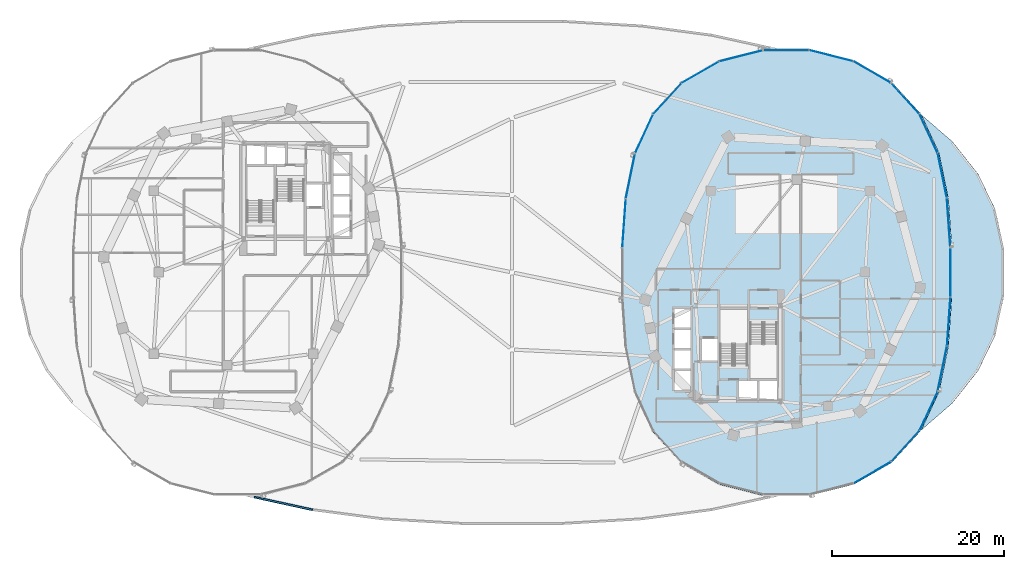
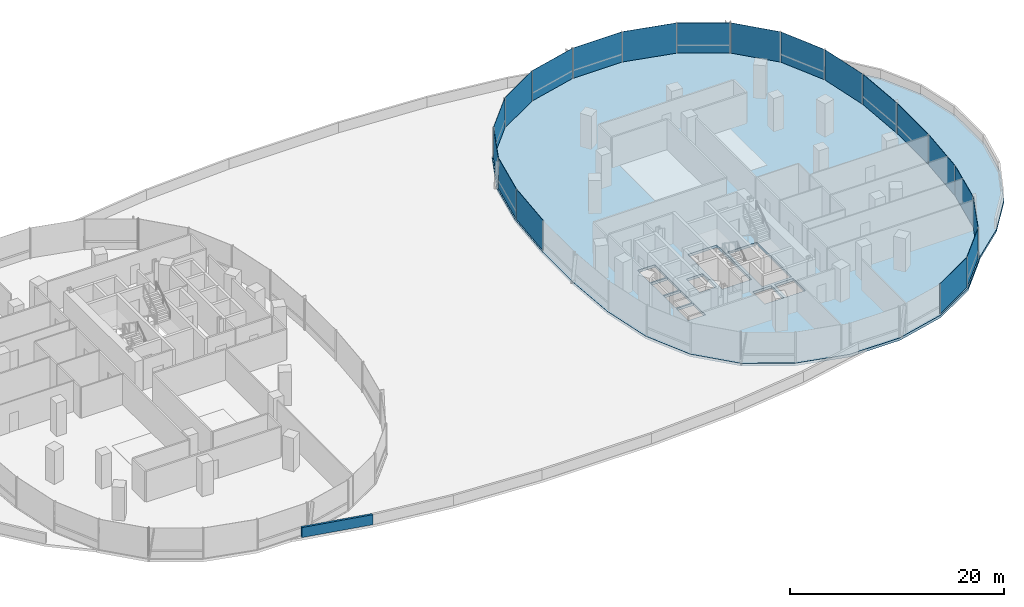
# One storey, part 17 of 28: 19 plates, 2 slabs, 1 wall, 3 elements without a shape of their own.
"""IFC4 building model written with IfcOpenShell, lengths in metres."""

from ifc_helpers import new_model, si_unit, direction, frame, frame_2d, origin, origin_2d, place, context, subcontext, project, spatial, polyline, rectangle, outline, extrude, material, layer, layer_set, type_object, element, aggregate, save


model = new_model("IFC4")

# Units and contexts
model_context = context("Model", 3, precision=1e-05, world=origin(), true_north=direction((0.0, 1.0)))
body_context = subcontext(model_context, "Body", "Model", "MODEL_VIEW")
ifc_project = project(units=[si_unit("LENGTHUNIT", "METRE"), si_unit("AREAUNIT", "SQUARE_METRE"), si_unit("VOLUMEUNIT", "CUBIC_METRE"), si_unit("PLANEANGLEUNIT", "RADIAN"), si_unit("MASSUNIT", "GRAM", prefix="KILO"), si_unit("THERMODYNAMICTEMPERATUREUNIT", "KELVIN"), si_unit("POWERUNIT", "WATT")], contexts=[model_context])

# Site, building, storey
site_placement = place(None, origin())
site = spatial("IfcSite", under=ifc_project, at=site_placement, CompositionType="ELEMENT")
building_placement = place(site_placement, origin())
building = spatial("IfcBuilding", under=site, at=building_placement, Name="Cundina Bronze Exchange", CompositionType="ELEMENT")
storey_placement = place(building_placement, frame((0.0, 0.0, 24.0)))
storey = spatial("IfcBuildingStorey", under=building, at=storey_placement, Name="L05", CompositionType="ELEMENT", Elevation=24.0)

# Curtain wall, plates
ifc_material_1 = material(Name="Anodised Bronze Aluminium 6063-T6", Category="aluminium")
curtain_wall_type = type_object("IfcCurtainWallType", Name="CWS-TRD-LOW", PredefinedType="NOTDEFINED", material=ifc_material_1)
curtain_wall_1_placement = place(storey_placement, origin())
curtain_wall_1 = element("IfcCurtainWall", 1, at=curtain_wall_1_placement, inside=storey, type_object=curtain_wall_type, Name="L05 CW-02 Curtain Wall Run CWR-L05-E1", PredefinedType="NOTDEFINED")
ifc_material_2 = material(Name="Heat-Strengthened Solar-Control Bronze Safety Glass 28mm", Category="glass")
ifc_layer_1 = layer(ifc_material_2, 0.028076171875, Name="Heat-Strengthened Solar-Control Bronze Safety Glass 28mm", Category="glass")
ifc_layer_set_1 = layer_set([ifc_layer_1], Name="Heat-Strengthened Solar-Control Bronze Safety Glass 28mm")
plate_type_1 = type_object("IfcPlateType", Name="PLT-GLZ-VIS28", PredefinedType="CURTAIN_PANEL", material=ifc_layer_set_1)
plate_1_placement = place(storey_placement, frame((50.9267578125, 5.783935546875, 0.02001953125), z_axis=(0.0, 0.0, 1.0), x_axis=(-0.070278787473, 0.997527389113, 0.0)))
plate_1 = element("IfcPlate", 2, at=plate_1_placement, type_object=plate_type_1, Name="CW-02 Glazed Panel 1", PredefinedType="CURTAIN_PANEL", context=body_context, shape_type="SweptSolid", body=[
    extrude(rectangle(XDim=5.644287109375, YDim=0.028076171875, at=origin_2d()), origin(), (0.0, 0.0, 1.0), 3.4599609375),
])
plate_2_placement = place(storey_placement, frame((50.18408203125, 11.269775390625, 0.02001953125), z_axis=(0.0, 0.0, 1.0), x_axis=(-0.201419845156, 0.979505000486, 0.0)))
plate_2 = element("IfcPlate", 3, at=plate_2_placement, type_object=plate_type_1, Name="CW-02 Glazed Panel 2", PredefinedType="CURTAIN_PANEL", context=body_context, shape_type="SweptSolid", body=[
    extrude(rectangle(XDim=5.306640625, YDim=0.028076171875, at=origin_2d()), origin(), (0.0, 0.0, 1.0), 3.4599609375),
])
plate_3_placement = place(storey_placement, frame((48.586181640625, 16.177734375, 0.02001953125), z_axis=(0.0, 0.0, 1.0), x_axis=(-0.42084583328, 0.907132175932, 0.0)))
plate_3 = element("IfcPlate", 4, at=plate_3_placement, type_object=plate_type_1, Name="CW-02 Glazed Panel 3", PredefinedType="CURTAIN_PANEL", context=body_context, shape_type="SweptSolid", body=[
    extrude(rectangle(XDim=4.966552734375, YDim=0.028076171875, at=origin_2d()), origin(), (0.0, 0.0, 1.0), 3.4599609375),
])
plate_4_placement = place(storey_placement, frame((45.8740234375, 20.267333984375, 0.02001953125), z_axis=(0.0, 0.0, 1.0), x_axis=(-0.674276610219, 0.73847887777, 0.0)))
plate_4 = element("IfcPlate", 5, at=plate_4_placement, type_object=plate_type_1, Name="CW-02 Glazed Panel 4", PredefinedType="CURTAIN_PANEL", context=body_context, shape_type="SweptSolid", body=[
    extrude(rectangle(XDim=4.86328125, YDim=0.028076171875, at=origin_2d()), origin(), (0.0, 0.0, 1.0), 3.4599609375),
])
plate_5_placement = place(storey_placement, frame((37.255615234375, 25.256591796875, 0.02001953125), z_axis=(0.0, 0.0, 1.0), x_axis=(-0.969488149345, 0.245138182011, 0.0)))
plate_5 = element("IfcPlate", 6, at=plate_5_placement, type_object=plate_type_1, Name="CW-02 Glazed Panel 6", PredefinedType="CURTAIN_PANEL", context=body_context, shape_type="SweptSolid", body=[
    extrude(rectangle(XDim=5.2333984375, YDim=0.028076171875, at=origin_2d()), origin(), (0.0, 0.0, 1.0), 3.4599609375),
])
plate_6_placement = place(storey_placement, frame((32.0, 25.905029296875, 0.02001953125), z_axis=(0.0, 0.0, 1.0), x_axis=(-1.0, 0.0, 0.0)))
plate_6 = element("IfcPlate", 7, at=plate_6_placement, type_object=plate_type_1, Name="CW-02 Glazed Panel 7", PredefinedType="CURTAIN_PANEL", context=body_context, shape_type="SweptSolid", body=[
    extrude(rectangle(XDim=5.323974609375, YDim=0.028076171875, at=origin_2d()), origin(), (0.0, 0.0, 1.0), 3.4599609375),
])

curtain_wall_2_placement = place(storey_placement, origin())
curtain_wall_2 = element("IfcCurtainWall", 8, at=curtain_wall_2_placement, inside=storey, type_object=curtain_wall_type, Name="L05 CW-02 Curtain Wall Run CWR-L05-E2", PredefinedType="NOTDEFINED")
plate_7_placement = place(storey_placement, frame((26.744384765625, 25.256591796875, 0.02001953125), z_axis=(0.0, 0.0, 1.0), x_axis=(-0.969488149345, -0.245138182011, 0.0)))
plate_7 = element("IfcPlate", 9, at=plate_7_placement, type_object=plate_type_1, Name="CW-02 Glazed Panel 1", PredefinedType="CURTAIN_PANEL", context=body_context, shape_type="SweptSolid", body=[
    extrude(rectangle(XDim=5.2333984375, YDim=0.028076171875, at=origin_2d()), origin(), (0.0, 0.0, 1.0), 3.4599609375),
])
plate_8_placement = place(storey_placement, frame((21.980712890625, 23.34423828125, 0.02001953125), z_axis=(0.0, 0.0, 1.0), x_axis=(-0.867105478933, -0.498124571171, 0.0)))
plate_8 = element("IfcPlate", 10, at=plate_8_placement, type_object=plate_type_1, Name="CW-02 Glazed Panel 2", PredefinedType="CURTAIN_PANEL", context=body_context, shape_type="SweptSolid", body=[
    extrude(rectangle(XDim=5.021240234375, YDim=0.028076171875, at=origin_2d()), origin(), (0.0, 0.0, 1.0), 3.4599609375),
])
plate_9_placement = place(storey_placement, frame((18.1259765625, 20.267333984375, 0.02001953125), z_axis=(0.0, 0.0, 1.0), x_axis=(-0.674276610219, -0.73847887777, 0.0)))
plate_9 = element("IfcPlate", 11, at=plate_9_placement, type_object=plate_type_1, Name="CW-02 Glazed Panel 3", PredefinedType="CURTAIN_PANEL", context=body_context, shape_type="SweptSolid", body=[
    extrude(rectangle(XDim=4.86328125, YDim=0.028076171875, at=origin_2d()), origin(), (0.0, 0.0, 1.0), 3.4599609375),
])
plate_10_placement = place(storey_placement, frame((13.81591796875, 11.269775390625, 0.02001953125), z_axis=(0.0, 0.0, 1.0), x_axis=(-0.201419845156, -0.979505000486, 0.0)))
plate_10 = element("IfcPlate", 12, at=plate_10_placement, type_object=plate_type_1, Name="CW-02 Glazed Panel 5", PredefinedType="CURTAIN_PANEL", context=body_context, shape_type="SweptSolid", body=[
    extrude(rectangle(XDim=5.306640625, YDim=0.028076171875, at=origin_2d()), origin(), (0.0, 0.0, 1.0), 3.4599609375),
])
plate_11_placement = place(storey_placement, frame((13.0732421875, 5.783935546875, 0.02001953125), z_axis=(0.0, 0.0, 1.0), x_axis=(-0.070278787473, -0.997527389113, 0.0)))
plate_11 = element("IfcPlate", 13, at=plate_11_placement, type_object=plate_type_1, Name="CW-02 Glazed Panel 6", PredefinedType="CURTAIN_PANEL", context=body_context, shape_type="SweptSolid", body=[
    extrude(rectangle(XDim=5.644287109375, YDim=0.028076171875, at=origin_2d()), origin(), (0.0, 0.0, 1.0), 3.4599609375),
])

curtain_wall_3_placement = place(storey_placement, origin())
curtain_wall_3 = element("IfcCurtainWall", 14, at=curtain_wall_3_placement, inside=storey, type_object=curtain_wall_type, Name="L05 CW-02 Curtain Wall Run CWR-L05-E4", PredefinedType="NOTDEFINED")
plate_12_placement = place(storey_placement, frame((45.8740234375, -20.267333984375, 0.02001953125), z_axis=(0.0, 0.0, 1.0), x_axis=(0.674276610219, 0.73847887777, 0.0)))
plate_12 = element("IfcPlate", 15, at=plate_12_placement, type_object=plate_type_1, Name="CW-02 Glazed Panel 3", PredefinedType="CURTAIN_PANEL", context=body_context, shape_type="SweptSolid", body=[
    extrude(rectangle(XDim=4.86328125, YDim=0.028076171875, at=origin_2d()), origin(), (0.0, 0.0, 1.0), 3.4599609375),
])
plate_13_placement = place(storey_placement, frame((48.586181640625, -16.177734375, 0.02001953125), z_axis=(0.0, 0.0, 1.0), x_axis=(0.42084583328, 0.907132175932, 0.0)))
plate_13 = element("IfcPlate", 16, at=plate_13_placement, type_object=plate_type_1, Name="CW-02 Glazed Panel 4", PredefinedType="CURTAIN_PANEL", context=body_context, shape_type="SweptSolid", body=[
    extrude(rectangle(XDim=4.966552734375, YDim=0.028076171875, at=origin_2d()), origin(), (0.0, 0.0, 1.0), 3.4599609375),
])
plate_14_placement = place(storey_placement, frame((50.18408203125, -11.269775390625, 0.02001953125), z_axis=(0.0, 0.0, 1.0), x_axis=(0.201419845156, 0.979505000486, 0.0)))
plate_14 = element("IfcPlate", 17, at=plate_14_placement, type_object=plate_type_1, Name="CW-02 Glazed Panel 5", PredefinedType="CURTAIN_PANEL", context=body_context, shape_type="SweptSolid", body=[
    extrude(rectangle(XDim=5.306640625, YDim=0.028076171875, at=origin_2d()), origin(), (0.0, 0.0, 1.0), 3.4599609375),
])
plate_15_placement = place(storey_placement, frame((50.9267578125, -5.783935546875, 0.02001953125), z_axis=(0.0, 0.0, 1.0), x_axis=(0.070278787473, 0.997527389113, 0.0)))
plate_15 = element("IfcPlate", 18, at=plate_15_placement, type_object=plate_type_1, Name="CW-02 Glazed Panel 6", PredefinedType="CURTAIN_PANEL", context=body_context, shape_type="SweptSolid", body=[
    extrude(rectangle(XDim=5.644287109375, YDim=0.028076171875, at=origin_2d()), origin(), (0.0, 0.0, 1.0), 3.4599609375),
])

# Plate
ifc_material_3 = material(Name="Dark Bronze Spandrel Glass Panel 32mm", Category="glass")
ifc_layer_2 = layer(ifc_material_3, 0.031982421875, Name="Dark Bronze Spandrel Glass Panel 32mm", Category="glass")
ifc_layer_set_2 = layer_set([ifc_layer_2], Name="Dark Bronze Spandrel Glass Panel 32mm")
plate_type_2 = type_object("IfcPlateType", Name="PLT-SPN-BRZ32", PredefinedType="CURTAIN_PANEL", material=ifc_layer_set_2)
plate_16_placement = place(storey_placement, frame((42.019287109375, 23.34423828125, 0.02001953125), z_axis=(0.0, 0.0, 1.0), x_axis=(-0.867105478933, 0.498124571171, 0.0)))
plate_16 = element("IfcPlate", 19, at=plate_16_placement, type_object=plate_type_2, Name="CW-02 Glazed Panel 5", PredefinedType="CURTAIN_PANEL", context=body_context, shape_type="SweptSolid", body=[
    extrude(rectangle(XDim=5.021240234375, YDim=0.031982421875, at=origin_2d()), origin(), (0.0, 0.0, 1.0), 3.4599609375),
])

aggregate(curtain_wall_1, [plate_1, plate_2, plate_3, plate_4, plate_16, plate_5, plate_6])

plate_17_placement = place(storey_placement, frame((15.413818359375, 16.177734375, 0.02001953125), z_axis=(0.0, 0.0, 1.0), x_axis=(-0.42084583328, -0.907132175932, 0.0)))
plate_17 = element("IfcPlate", 20, at=plate_17_placement, type_object=plate_type_2, Name="CW-02 Glazed Panel 4", PredefinedType="CURTAIN_PANEL", context=body_context, shape_type="SweptSolid", body=[
    extrude(rectangle(XDim=4.966552734375, YDim=0.031982421875, at=origin_2d()), origin(), (0.0, 0.0, 1.0), 3.4599609375),
])

aggregate(curtain_wall_2, [plate_7, plate_8, plate_9, plate_17, plate_10, plate_11])

plate_18_placement = place(storey_placement, frame((42.019287109375, -23.34423828125, 0.02001953125), z_axis=(0.0, 0.0, 1.0), x_axis=(0.867105478933, 0.498124571171, 0.0)))
plate_18 = element("IfcPlate", 21, at=plate_18_placement, type_object=plate_type_2, Name="CW-02 Glazed Panel 2", PredefinedType="CURTAIN_PANEL", context=body_context, shape_type="SweptSolid", body=[
    extrude(rectangle(XDim=5.021240234375, YDim=0.031982421875, at=origin_2d()), origin(), (0.0, 0.0, 1.0), 3.4599609375),
])

plate_19_placement = place(storey_placement, frame((51.1279296875, 0.0, 0.02001953125), z_axis=(0.0, 0.0, 1.0), x_axis=(0.0, 1.0, 0.0)))
plate_19 = element("IfcPlate", 22, at=plate_19_placement, type_object=plate_type_2, Name="CW-02 Glazed Panel 7", PredefinedType="CURTAIN_PANEL", context=body_context, shape_type="SweptSolid", body=[
    extrude(rectangle(XDim=5.77587890625, YDim=0.031982421875, at=origin_2d()), origin(), (0.0, 0.0, 1.0), 3.4599609375),
])

aggregate(curtain_wall_3, [plate_18, plate_12, plate_13, plate_14, plate_15, plate_19])

# Slabs
ifc_material_4 = material(Name="Concrete C50/60", Category="concrete")
ifc_layer_3 = layer(ifc_material_4, 0.27001953125, Name="Concrete C50/60", Category="concrete")
ifc_layer_set_3 = layer_set([ifc_layer_3], Name="Concrete C50/60")
slab_type_1 = type_object("IfcSlabType", Name="SLB-ROOF-270", PredefinedType="ROOF", material=ifc_layer_set_3)
slab_1_placement = place(storey_placement, frame((0.0, 0.0, -0.27001953125)))
element("IfcSlab", 23, at=slab_1_placement, inside=storey, type_object=slab_type_1, Name="L05 Central Podium Roof Slab 2", PredefinedType="ROOF", context=body_context, shape_type="SweptSolid", body=[
    extrude(outline(polyline([(51.39697265625, 15.217041015625), (54.367919921875, 11.451904296875), (56.367919921875, 7.321044921875), (57.3740234375, 2.739990234375), (57.3740234375, -2.739990234375), (56.367919921875, -7.321044921875), (54.367919921875, -11.451904296875), (51.39697265625, -15.217041015625), (47.707763671875, -18.41552734375), (49.781494140625, -13.9453125), (49.7822265625, -13.943603515625), (49.78271484375, -13.94189453125), (50.86962890625, -8.656005859375), (50.8701171875, -8.654052734375), (51.27294921875, -2.93408203125), (51.27294921875, -2.93310546875), (51.27294921875, 2.93310546875), (51.27294921875, 2.93408203125), (50.8701171875, 8.654052734375), (50.86962890625, 8.656005859375), (49.78271484375, 13.94189453125), (49.7822265625, 13.943603515625), (49.781494140625, 13.9453125), (47.707763671875, 18.41552734375), (51.39697265625, 15.217041015625)])), origin(), (0.0, 0.0, 1.0), 0.27001953125),
])
ifc_layer_4 = layer(ifc_material_4, 0.300048828125, Name="Concrete C50/60", Category="concrete")
ifc_layer_set_4 = layer_set([ifc_layer_4], Name="Concrete C50/60")
slab_type_2 = type_object("IfcSlabType", Name="SLB-TRD-300", PredefinedType="FLOOR", material=ifc_layer_set_4)
slab_2_placement = place(storey_placement, frame((0.0, 0.0, -0.300048828125)))
element("IfcSlab", 24, at=slab_2_placement, inside=storey, type_object=slab_type_2, Name="L05 Leg E Structural Floor Slab", PredefinedType="FLOOR", context=body_context, shape_type="SweptSolid", body=[
    extrude(outline(polyline([(51.258056640625, 2.93310546875), (50.85498046875, 8.653076171875), (49.76806640625, 13.93896484375), (47.639892578125, 18.52587890625), (44.300048828125, 22.18408203125), (39.867919921875, 24.72998046875), (34.70703125, 26.034912109375), (29.29296875, 26.034912109375), (24.132080078125, 24.72998046875), (19.699951171875, 22.18408203125), (16.360107421875, 18.52587890625), (14.23193359375, 13.93896484375), (13.14501953125, 8.653076171875), (12.741943359375, 2.93310546875), (12.741943359375, -2.93310546875), (13.14501953125, -8.653076171875), (14.23193359375, -13.93896484375), (16.360107421875, -18.52587890625), (19.699951171875, -22.18408203125), (24.132080078125, -24.72998046875), (29.29296875, -26.034912109375), (34.70703125, -26.034912109375), (39.867919921875, -24.72998046875), (44.300048828125, -22.18408203125), (47.639892578125, -18.52587890625), (49.76806640625, -13.93896484375), (50.85498046875, -8.653076171875), (51.258056640625, -2.93310546875), (51.258056640625, 2.93310546875)]), holes=[polyline([(27.739990234375, -5.85009765625), (27.739990234375, -12.35009765625), (30.89990234375, -12.35009765625), (30.89990234375, -5.85009765625), (27.739990234375, -5.85009765625)]), polyline([(27.43994140625, -10.85009765625), (27.43994140625, -4.35009765625), (24.280029296875, -4.35009765625), (24.280029296875, -10.85009765625), (27.43994140625, -10.85009765625)]), polyline([(22.179931640625, -7.75), (23.97998046875, -7.75), (23.97998046875, -10.25), (22.179931640625, -10.25), (22.179931640625, -7.75)]), polyline([(28.85009765625, -12.64990234375), (30.89990234375, -12.64990234375), (30.89990234375, -14.949951171875), (28.85009765625, -14.949951171875), (28.85009765625, -12.64990234375)]), polyline([(26.5, -12.64990234375), (28.550048828125, -12.64990234375), (28.550048828125, -14.949951171875), (26.5, -14.949951171875), (26.5, -12.64990234375)]), polyline([(18.949951171875, -11.449951171875), (20.800048828125, -11.449951171875), (20.800048828125, -13.699951171875), (18.949951171875, -13.699951171875), (18.949951171875, -11.449951171875)]), polyline([(18.949951171875, -9.050048828125), (20.800048828125, -9.050048828125), (20.800048828125, -11.300048828125), (18.949951171875, -11.300048828125), (18.949951171875, -9.050048828125)]), polyline([(18.949951171875, -6.64990234375), (20.800048828125, -6.64990234375), (20.800048828125, -8.89990234375), (18.949951171875, -8.89990234375), (18.949951171875, -6.64990234375)]), polyline([(18.949951171875, -4.25), (20.800048828125, -4.25), (20.800048828125, -6.5), (18.949951171875, -6.5), (18.949951171875, -4.25)])]), origin(), (0.0, 0.0, 1.0), 0.300048828125),
])

# Wall
ifc_material_5 = material(Name="Precast Concrete C45/55", Category="concrete")
ifc_layer_5 = layer(ifc_material_5, 0.219970703125, Name="Precast Concrete C45/55", Category="concrete")
ifc_layer_set_5 = layer_set([ifc_layer_5], Name="Precast Concrete C45/55")
wall_type = type_object("IfcWallType", Name="WL-PAR-220", PredefinedType="PARAPET", material=ifc_layer_set_5)
wall_placement = place(storey_placement, frame((-23.2568359375, -27.68310546875, 0.0), z_axis=(0.0, 0.0, 1.0), x_axis=(-0.976903447966, 0.213681195598, 0.0)))
element("IfcWall", 25, at=wall_placement, inside=storey, type_object=wall_type, Name="L05 Central Podium Roof Parapet 1-27", PredefinedType="PARAPET", context=body_context, shape_type="SweptSolid", body=[
    extrude(rectangle(XDim=6.9638671875, YDim=0.219970703125, at=frame_2d((3.48193359375, 0.0))), origin(), (0.0, 0.0, 1.0), 1.14990234375),
])

save(model, "model.ifc")
